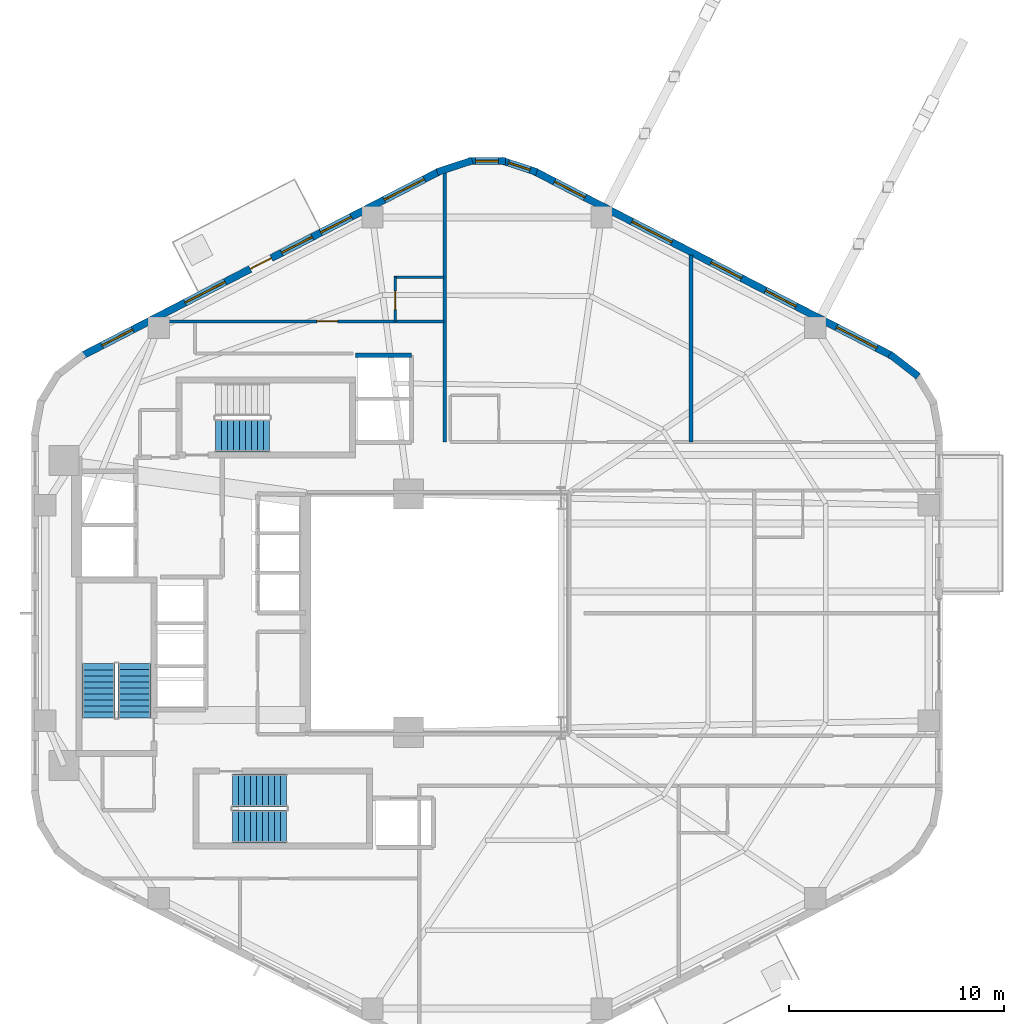
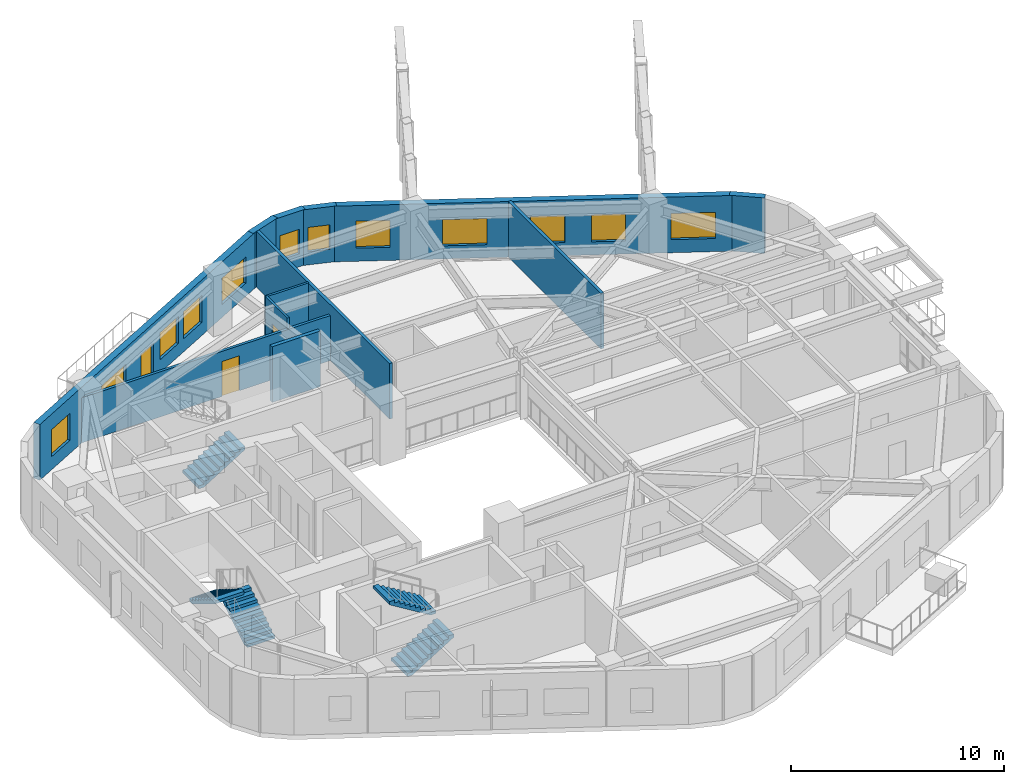
# One storey, part 7 of 10: 12 walls, 12 windows, 5 stair flights, 3 doors, 15 openings, 3 elements without a shape of their own.
"""IFC4 building model written with IfcOpenShell, lengths in metres."""

import ifcopenshell
import ifcopenshell.guid

model = None  # the IFC model being written
_history = None  # IfcOwnerHistory: only IFC2X3 demands one
_inside = {}  # id of a spatial element -> (the spatial element, [elements in it])
_under = {}  # id of a project, library or spatial element -> (it, [spatial elements below it])
_declared = {}  # id of a project -> (the project, [libraries it declares])
_typed = {}  # id of a type object -> (the type object, [elements of that type])
_made_of = {}  # id of a material, layer set ... -> (it, [elements and type objects made of it])


def new_model(schema):
    """Start an empty IFC model of exactly this schema.

    Asked for "IFC4X3", IfcOpenShell would pick the latest addendum, in which some entities
    have other attributes; the version numbers below select the first issue.
    IFC2X3 requires an IfcOwnerHistory on every rooted entity: one is made here for all.
    """
    global model, _history
    if schema == "IFC4X3":
        model = ifcopenshell.file(schema_version=(4, 3, 0, 0))
    else:
        model = ifcopenshell.file(schema=schema)
    _inside.clear()
    _under.clear()
    _declared.clear()
    _typed.clear()
    _made_of.clear()
    _history = None
    if model.schema == "IFC2X3":
        org = make("IfcOrganization", Name="unknown")
        user = make(
            "IfcPersonAndOrganization",
            ThePerson=make("IfcPerson", FamilyName="unknown"),
            TheOrganization=org,
        )
        app = make(
            "IfcApplication",
            ApplicationDeveloper=org,
            Version="unknown",
            ApplicationFullName="unknown",
            ApplicationIdentifier="unknown",
        )
        _history = make(
            "IfcOwnerHistory",
            OwningUser=user,
            OwningApplication=app,
            ChangeAction="ADDED",
            CreationDate=0,
        )
    return model


def make(cls, **values):
    """One entity of the class cls with the attributes given. An attribute that is None is left unset."""
    return model.create_entity(
        cls, **{name: value for name, value in values.items() if value is not None}
    )


def rooted(cls, **values):
    """An entity with a GlobalId (a new one), such as an element, a storey or a relation."""
    return make(cls, GlobalId=ifcopenshell.guid.new(), OwnerHistory=_history, **values)


def si_unit(unit_type, name, prefix=None):
    """IfcSIUnit, for example si_unit("LENGTHUNIT", "METRE", prefix="MILLI")."""
    return make("IfcSIUnit", UnitType=unit_type, Prefix=prefix, Name=name)


def assignment(units):
    """IfcUnitAssignment: the units of a project."""
    return None if units is None else make("IfcUnitAssignment", Units=units)


def point(xyz):
    """IfcCartesianPoint."""
    return None if xyz is None else make("IfcCartesianPoint", Coordinates=xyz)


def direction(xyz):
    """IfcDirection."""
    return None if xyz is None else make("IfcDirection", DirectionRatios=xyz)


def frame(location, z_axis=None, x_axis=None):
    """IfcAxis2Placement3D, a coordinate frame: its origin and axes. An axis left out is left unset."""
    return make(
        "IfcAxis2Placement3D",
        Location=point(location),
        Axis=direction(z_axis),
        RefDirection=direction(x_axis),
    )


def frame_2d(location, x_axis=None):
    """IfcAxis2Placement2D, a coordinate frame in the plane: its origin and x axis."""
    return make(
        "IfcAxis2Placement2D", Location=point(location), RefDirection=direction(x_axis)
    )


def origin():
    """The frame at (0, 0, 0) with its axes left unset."""
    return frame((0.0, 0.0, 0.0))


def place(relative_to, where):
    """IfcLocalPlacement: puts the frame where relative to a parent placement (None: the world)."""
    return make(
        "IfcLocalPlacement", PlacementRelTo=relative_to, RelativePlacement=where
    )


def context(
    kind, dimensions, precision=None, world=None, true_north=None, identifier=None
):
    """IfcGeometricRepresentationContext, for example the 3D "Model" context."""
    return make(
        "IfcGeometricRepresentationContext",
        ContextIdentifier=identifier,
        ContextType=kind,
        CoordinateSpaceDimension=dimensions,
        Precision=precision,
        WorldCoordinateSystem=world,
        TrueNorth=true_north,
    )


def subcontext(parent, identifier, kind, view, scale=None):
    """IfcGeometricRepresentationSubContext, for example "Body" below "Model"."""
    return make(
        "IfcGeometricRepresentationSubContext",
        ContextIdentifier=identifier,
        ContextType=kind,
        ParentContext=parent,
        TargetScale=scale,
        TargetView=view,
    )


def project(units=None, contexts=None):
    """IfcProject with its units and contexts."""
    return rooted(
        "IfcProject",
        Name="project",
        RepresentationContexts=contexts,
        UnitsInContext=assignment(units),
    )


def spatial(cls, under=None, at=None, **own):
    """A site, building, storey or space (cls), placed at a placement, below another one or the project."""
    s = rooted(cls, ObjectPlacement=at, **own)
    if under is not None:
        _under.setdefault(under.id(), (under, []))[1].append(s)
    return s


def polyline(points):
    """IfcPolyline through the points."""
    return make("IfcPolyline", Points=[point(p) for p in points])


def profile(cls, at=None, kind="AREA", **sizes):
    """A parametric profile (cls). Its sizes go by their IFC names, for example OverallWidth=200.0."""
    return make(cls, ProfileType=kind, Position=at, **sizes)


def rectangle(**sizes):
    """IfcRectangleProfileDef."""
    return profile("IfcRectangleProfileDef", **sizes)


def outline(outer, holes=None, kind="AREA"):
    """IfcArbitraryClosedProfileDef: a profile drawn as a closed curve; with holes, ...WithVoids."""
    if holes is None:
        return make("IfcArbitraryClosedProfileDef", ProfileType=kind, OuterCurve=outer)
    return make(
        "IfcArbitraryProfileDefWithVoids",
        ProfileType=kind,
        OuterCurve=outer,
        InnerCurves=holes,
    )


def extrude(swept, where, along, depth):
    """IfcExtrudedAreaSolid: the profile swept, set in the frame where, extruded along a direction by depth."""
    return make(
        "IfcExtrudedAreaSolid",
        SweptArea=swept,
        Position=where,
        ExtrudedDirection=direction(along),
        Depth=depth,
    )


def shape(context_of_items, identifier, shape_type, items):
    """IfcShapeRepresentation: the items that make up one representation, for example the "Body"."""
    return make(
        "IfcShapeRepresentation",
        ContextOfItems=context_of_items,
        RepresentationIdentifier=identifier,
        RepresentationType=shape_type,
        Items=items,
    )


def material(Name=None, Category=None):
    """IfcMaterial."""
    return make("IfcMaterial", Name=Name, Category=Category)


def layer(
    of_material, thickness, ventilated=None, Name=None, Category=None, Priority=None
):
    """IfcMaterialLayer: one layer of a wall or slab, of a material (None: an air gap)."""
    return make(
        "IfcMaterialLayer",
        Material=of_material,
        LayerThickness=thickness,
        IsVentilated=ventilated,
        Name=Name,
        Category=Category,
        Priority=Priority,
    )


def layer_set(layers, Name=None):
    """IfcMaterialLayerSet."""
    return make("IfcMaterialLayerSet", MaterialLayers=layers, LayerSetName=Name)


def made_of(thing, what):
    """Note that an element or type object is made of a material, layer set ...; save() writes the relation."""
    if what is not None:
        _made_of.setdefault(what.id(), (what, []))[1].append(thing)
    return thing


def type_object(cls, material=None, **own):
    """A type object (cls), such as IfcWallType, which elements share."""
    return made_of(rooted(cls, **own), material)


def element(
    cls,
    number,
    at=None,
    inside=None,
    cuts=None,
    type_object=None,
    material=None,
    context=None,
    identifier="Body",
    shape_type=None,
    held_by="IfcProductDefinitionShape",
    body=None,
    shapes=None,
    **own,
):
    """One element of the class cls, such as IfcWall. Its Tag is "e" and its number.

    at: its placement. inside: the storey or other place that contains it. cuts: it is an
    opening in that element (IfcRelVoidsElement). A single representation is given by context,
    identifier, shape_type and body (its items); several are given by shapes. held_by: the class
    of the entity that holds the representations. save() writes the other relations.
    """
    e = rooted(cls, Tag="e%d" % number, ObjectPlacement=at, **own)
    if body is not None:
        shapes = [shape(context, identifier, shape_type, body)]
    if shapes is not None:
        e.Representation = make(held_by, Representations=shapes)
    if inside is not None:
        _inside.setdefault(inside.id(), (inside, []))[1].append(e)
    if cuts is not None:
        rooted(
            "IfcRelVoidsElement", RelatingBuildingElement=cuts, RelatedOpeningElement=e
        )
    if type_object is not None:
        _typed.setdefault(type_object.id(), (type_object, []))[1].append(e)
    return made_of(e, material)


def fill(opening, filler):
    """IfcRelFillsElement: the door or window that sits in an opening."""
    return rooted(
        "IfcRelFillsElement",
        RelatingOpeningElement=opening,
        RelatedBuildingElement=filler,
    )


def aggregate(whole, parts):
    """IfcRelAggregates: a whole, such as a stair, and the parts it consists of."""
    return rooted("IfcRelAggregates", RelatingObject=whole, RelatedObjects=parts)


def save(model, path):
    """Write the relations noted so far, then the file.

    IfcRelAggregates (storeys below a building ...), IfcRelContainedInSpatialStructure (elements
    in a storey), IfcRelDefinesByType, IfcRelAssociatesMaterial and IfcRelDeclares: one each for
    every whole, place, type object, material and project.
    """
    for whole, parts in _under.values():
        aggregate(whole, parts)
    for where, things in _inside.values():
        rooted(
            "IfcRelContainedInSpatialStructure",
            RelatedElements=things,
            RelatingStructure=where,
        )
    for kind, things in _typed.values():
        rooted("IfcRelDefinesByType", RelatedObjects=things, RelatingType=kind)
    for what, things in _made_of.values():
        rooted("IfcRelAssociatesMaterial", RelatedObjects=things, RelatingMaterial=what)
    for by, libraries in _declared.values():
        rooted("IfcRelDeclares", RelatingContext=by, RelatedDefinitions=libraries)
    model.write(path)


model = new_model("IFC4")

# Units and contexts
model_context = context("Model", 3, precision=1e-05, world=origin(), true_north=direction((0.0, 1.0)))
body_context = subcontext(model_context, "Body", "Model", "MODEL_VIEW")
ifc_project = project(units=[si_unit("LENGTHUNIT", "METRE"), si_unit("AREAUNIT", "SQUARE_METRE"), si_unit("VOLUMEUNIT", "CUBIC_METRE"), si_unit("PLANEANGLEUNIT", "RADIAN"), si_unit("MASSUNIT", "GRAM", prefix="KILO"), si_unit("THERMODYNAMICTEMPERATUREUNIT", "KELVIN"), si_unit("POWERUNIT", "WATT")], contexts=[model_context])

# Site, building, storey
site_placement = place(None, origin())
site = spatial("IfcSite", under=ifc_project, at=site_placement, CompositionType="ELEMENT")
building_placement = place(site_placement, origin())
building = spatial("IfcBuilding", under=site, at=building_placement, Name="Skarre Station Tower", CompositionType="ELEMENT")
storey_placement = place(building_placement, frame((0.0, 0.0, 105.0)))
storey = spatial("IfcBuildingStorey", under=building, at=storey_placement, Name="L27", CompositionType="ELEMENT", Elevation=105.0)

# Wall, opening, door
ifc_material_1 = material(Name="Acoustic Steel-Stud Gypsum Partition", Category="steel")
ifc_layer_1 = layer(ifc_material_1, 0.14990234375, Name="Acoustic Steel-Stud Gypsum Partition")
ifc_layer_set_1 = layer_set([ifc_layer_1], Name="Acoustic Steel-Stud Gypsum Partition")
wall_type_1 = type_object("IfcWallType", Name="Fire-Rated Corridor Acoustic Partition 150", PredefinedType="PARTITIONING", material=ifc_layer_set_1)
wall_1_placement = place(storey_placement, frame((34.0, 37.580078125, 0.0), z_axis=(0.0, 0.0, 1.0), x_axis=(-1.0, 0.0, 0.0)))
wall_1 = element("IfcWall", 1, at=wall_1_placement, inside=storey, type_object=wall_type_1, Name="L27 Interior Partition WL-PT-L27-NWW1-CW", PredefinedType="PARTITIONING", context=body_context, shape_type="SweptSolid", body=[
    extrude(rectangle(XDim=13.70703125, YDim=0.14990234375, at=frame_2d((6.853515625, 0.0))), origin(), (0.0, 0.0, 1.0), 2.58203125),
])
opening_1_placement = place(wall_1_placement, frame((4.9599609375, 0.0, 0.0)))
opening_1 = element("IfcOpeningElement", 2, at=opening_1_placement, cuts=wall_1, Name="Opening DR-FD60", PredefinedType="OPENING", context=body_context, shape_type="SweptSolid", body=[
    extrude(rectangle(XDim=0.9599609375, YDim=2.0, at=frame_2d((0.47998046875, 1.0))), frame((0.0, 0.0849609375, 0.0), z_axis=(0.0, -1.0, 0.0), x_axis=(1.0, 0.0, 0.0)), (0.0, 0.0, 1.0), 0.169921875),
])
ifc_material_2 = material(Name="Nordic White-Oak Veneer Solid-Core Fire Leaf", Category="wood")
door_type_1 = type_object("IfcDoorType", Name="Corridor Suite Entry Fire Door FD60 960x2150", OperationType="SINGLE_SWING_LEFT", PredefinedType="DOOR", material=ifc_material_2)
door_1_placement = place(opening_1_placement, origin())
door_1 = element("IfcDoor", 3, at=door_1_placement, inside=storey, type_object=door_type_1, Name="L27 NWW1 Entry Door", OperationType="SINGLE_SWING_LEFT", OverallHeight=2.0, OverallWidth=0.9599609375, PredefinedType="DOOR", context=body_context, shape_type="SweptSolid", body=[
    extrude(rectangle(XDim=0.9599609375, YDim=2.0, at=frame_2d((0.47998046875, 1.0))), frame((0.0, 0.02490234375, 0.0), z_axis=(0.0, -1.0, 0.0), x_axis=(1.0, 0.0, 0.0)), (0.0, 0.0, 1.0), 0.050048828125),
])
fill(opening_1, door_1)

# Wall
ifc_material_3 = material(Name="Insulated Timber-Stud Gypsum Partition", Category="wood")
ifc_layer_2 = layer(ifc_material_3, 0.1201171875, Name="Insulated Timber-Stud Gypsum Partition")
ifc_layer_set_2 = layer_set([ifc_layer_2], Name="Insulated Timber-Stud Gypsum Partition")
wall_type_2 = type_object("IfcWallType", Name="Internal Suite Acoustic Partition 120", PredefinedType="PARTITIONING", material=ifc_layer_set_2)
wall_2_placement = place(storey_placement, frame((34.0, 39.639892578125, 0.0), z_axis=(0.0, 0.0, 1.0), x_axis=(-1.0, 0.0, 0.0)))
element("IfcWall", 4, at=wall_2_placement, inside=storey, type_object=wall_type_2, Name="L27 Interior Partition WL-PT-L27-NWW1-EW3", PredefinedType="PARTITIONING", context=body_context, shape_type="SweptSolid", body=[
    extrude(rectangle(XDim=2.340087890625, YDim=0.1201171875, at=frame_2d((1.169921875, 0.0))), origin(), (0.0, 0.0, 1.0), 3.18994140625),
])

# Wall, opening, door
wall_3_placement = place(storey_placement, frame((31.719970703125, 39.639892578125, 0.0), z_axis=(0.0, 0.0, 1.0), x_axis=(0.0, -1.0, 0.0)))
wall_3 = element("IfcWall", 5, at=wall_3_placement, inside=storey, type_object=wall_type_2, Name="L27 Interior Partition WL-PT-L27-NWW1-EW4", PredefinedType="PARTITIONING", context=body_context, shape_type="SweptSolid", body=[
    extrude(rectangle(XDim=2.059814453125, YDim=0.1201171875, at=frame_2d((1.02978515625, 0.0))), origin(), (0.0, 0.0, 1.0), 3.18994140625),
])
opening_2_placement = place(wall_3_placement, frame((0.64990234375, 0.0, 0.0)))
opening_2 = element("IfcOpeningElement", 6, at=opening_2_placement, cuts=wall_3, Name="Opening DR-INT86", PredefinedType="OPENING", context=body_context, shape_type="SweptSolid", body=[
    extrude(rectangle(XDim=0.860107421875, YDim=2.0, at=frame_2d((0.43017578125, 1.0))), frame((0.0, 0.070068359375, 0.0), z_axis=(0.0, -1.0, 0.0), x_axis=(1.0, 0.0, 0.0)), (0.0, 0.0, 1.0), 0.14013671875),
])
ifc_material_4 = material(Name="Nordic Birch Acoustic Solid-Core Timber Leaf", Category="wood")
door_type_2 = type_object("IfcDoorType", Name="Internal En-Suite & Bedroom Door 860x2100", OperationType="SINGLE_SWING_LEFT", PredefinedType="DOOR", material=ifc_material_4)
door_2_placement = place(opening_2_placement, origin())
door_2 = element("IfcDoor", 7, at=door_2_placement, inside=storey, type_object=door_type_2, Name="L27 NWW1 En-suite Door", OperationType="SINGLE_SWING_RIGHT", OverallHeight=2.0, OverallWidth=0.860107421875, PredefinedType="DOOR", context=body_context, shape_type="SweptSolid", body=[
    extrude(rectangle(XDim=0.860107421875, YDim=2.0, at=frame_2d((0.43017578125, 1.0))), frame((0.0, 0.02490234375, 0.0), z_axis=(0.0, -1.0, 0.0), x_axis=(1.0, 0.0, 0.0)), (0.0, 0.0, 1.0), 0.050048828125),
])
fill(opening_2, door_2)

# Wall, openings, windows
ifc_material_5 = material(Name="Precast concrete C45/55", Category="concrete")
ifc_layer_3 = layer(ifc_material_5, 0.340087890625, Name="Precast concrete C45/55")
ifc_layer_set_3 = layer_set([ifc_layer_3], Name="Precast concrete C45/55")
wall_type_3 = type_object("IfcWallType", Name="Nordic Honed Precast Facet Wall 340", PredefinedType="STANDARD", material=ifc_layer_set_3)
wall_4_placement = place(storey_placement, frame((38.23095703125, 44.55810546875, 0.0), z_axis=(0.0, 0.0, 1.0), x_axis=(0.888613612362, -0.458656568606, 0.0)))
wall_4 = element("IfcWall", 8, at=wall_4_placement, inside=storey, type_object=wall_type_3, Name="L27 Facet 0 Nordic Precast Masonry Wall", PredefinedType="STANDARD", context=body_context, shape_type="SweptSolid", body=[
    extrude(rectangle(XDim=18.680908203125, YDim=0.340087890625, at=frame_2d((9.34033203125, 0.0))), origin(), (0.0, 0.0, 1.0), 3.18994140625),
])
opening_3_placement = place(wall_4_placement, frame((1.02294921875, 0.0, 0.75)))
opening_3 = element("IfcOpeningElement", 9, at=opening_3_placement, cuts=wall_4, Name="Opening WN-Z2A", PredefinedType="OPENING", context=body_context, shape_type="SweptSolid", body=[
    extrude(rectangle(XDim=1.60009765625, YDim=1.550048828125, at=frame_2d((0.800048828125, 0.77490234375))), frame((0.0, 0.179931640625, 0.0), z_axis=(0.0, -1.0, 0.0), x_axis=(1.0, 0.0, 0.0)), (0.0, 0.0, 1.0), 0.360107421875),
])
opening_4_placement = place(wall_4_placement, frame((5.076904296875, 0.0, 0.75)))
opening_4 = element("IfcOpeningElement", 10, at=opening_4_placement, cuts=wall_4, Name="Opening WN-Z2B", PredefinedType="OPENING", context=body_context, shape_type="SweptSolid", body=[
    extrude(rectangle(XDim=2.10009765625, YDim=1.5, at=frame_2d((1.050048828125, 0.75))), frame((0.0, 0.179931640625, 0.0), z_axis=(0.0, -1.0, 0.0), x_axis=(1.0, 0.0, 0.0)), (0.0, 0.0, 1.0), 0.360107421875),
])
opening_5_placement = place(wall_4_placement, frame((9.22900390625, 0.0, 0.75)))
opening_5 = element("IfcOpeningElement", 11, at=opening_5_placement, cuts=wall_4, Name="Opening WN-Z2A", PredefinedType="OPENING", context=body_context, shape_type="SweptSolid", body=[
    extrude(rectangle(XDim=1.60009765625, YDim=1.550048828125, at=frame_2d((0.800048828125, 0.77490234375))), frame((0.0, 0.179931640625, 0.0), z_axis=(0.0, -1.0, 0.0), x_axis=(1.0, 0.0, 0.0)), (0.0, 0.0, 1.0), 0.360107421875),
])
opening_6_placement = place(wall_4_placement, frame((12.0791015625, 0.0, 0.75)))
opening_6 = element("IfcOpeningElement", 12, at=opening_6_placement, cuts=wall_4, Name="Opening WN-Z2A", PredefinedType="OPENING", context=body_context, shape_type="SweptSolid", body=[
    extrude(rectangle(XDim=1.60009765625, YDim=1.550048828125, at=frame_2d((0.800048828125, 0.77490234375))), frame((0.0, 0.179931640625, 0.0), z_axis=(0.0, -1.0, 0.0), x_axis=(1.0, 0.0, 0.0)), (0.0, 0.0, 1.0), 0.360107421875),
])
opening_7_placement = place(wall_4_placement, frame((15.80810546875, 0.0, 0.75)))
opening_7 = element("IfcOpeningElement", 13, at=opening_7_placement, cuts=wall_4, Name="Opening WN-Z2B", PredefinedType="OPENING", context=body_context, shape_type="SweptSolid", body=[
    extrude(rectangle(XDim=2.10009765625, YDim=1.5, at=frame_2d((1.050048828125, 0.75))), frame((0.0, 0.179931640625, 0.0), z_axis=(0.0, -1.0, 0.0), x_axis=(1.0, 0.0, 0.0)), (0.0, 0.0, 1.0), 0.360107421875),
])
ifc_material_6 = material(Name="Low-Iron Triple Glazing with Bronze Anodized Frame", Category="glass")
window_type_1 = type_object("IfcWindowType", Name="Nordic Residential Tall Window 1600x1550", PartitioningType="SINGLE_PANEL", PredefinedType="WINDOW", material=ifc_material_6)
window_1_placement = place(opening_3_placement, origin())
window_1 = element("IfcWindow", 14, at=window_1_placement, inside=storey, type_object=window_type_1, Name="L27 Facade Window WL-FAC-L27-F0-1", OverallHeight=1.550048828125, OverallWidth=1.60009765625, PartitioningType="SINGLE_PANEL", PredefinedType="WINDOW", context=body_context, shape_type="SweptSolid", body=[
    extrude(rectangle(XDim=1.60009765625, YDim=1.550048828125, at=frame_2d((0.800048828125, 0.77490234375))), frame((0.0, 0.030029296875, 0.0), z_axis=(0.0, -1.0, 0.0), x_axis=(1.0, 0.0, 0.0)), (0.0, 0.0, 1.0), 0.06005859375),
])
fill(opening_3, window_1)
window_2_placement = place(opening_5_placement, origin())
window_2 = element("IfcWindow", 15, at=window_2_placement, inside=storey, type_object=window_type_1, Name="L27 Facade Window WL-FAC-L27-F0-3", OverallHeight=1.550048828125, OverallWidth=1.60009765625, PartitioningType="SINGLE_PANEL", PredefinedType="WINDOW", context=body_context, shape_type="SweptSolid", body=[
    extrude(rectangle(XDim=1.60009765625, YDim=1.550048828125, at=frame_2d((0.800048828125, 0.77490234375))), frame((0.0, 0.030029296875, 0.0), z_axis=(0.0, -1.0, 0.0), x_axis=(1.0, 0.0, 0.0)), (0.0, 0.0, 1.0), 0.06005859375),
])
fill(opening_5, window_2)
window_3_placement = place(opening_6_placement, origin())
window_3 = element("IfcWindow", 16, at=window_3_placement, inside=storey, type_object=window_type_1, Name="L27 Facade Window WL-FAC-L27-F0-4", OverallHeight=1.550048828125, OverallWidth=1.60009765625, PartitioningType="SINGLE_PANEL", PredefinedType="WINDOW", context=body_context, shape_type="SweptSolid", body=[
    extrude(rectangle(XDim=1.60009765625, YDim=1.550048828125, at=frame_2d((0.800048828125, 0.77490234375))), frame((0.0, 0.030029296875, 0.0), z_axis=(0.0, -1.0, 0.0), x_axis=(1.0, 0.0, 0.0)), (0.0, 0.0, 1.0), 0.06005859375),
])
fill(opening_6, window_3)
window_type_2 = type_object("IfcWindowType", Name="Nordic Residential Twin Window 2100x1500", PartitioningType="SINGLE_PANEL", PredefinedType="WINDOW", material=ifc_material_6)
window_4_placement = place(opening_4_placement, origin())
window_4 = element("IfcWindow", 17, at=window_4_placement, inside=storey, type_object=window_type_2, Name="L27 Facade Window WL-FAC-L27-F0-2", OverallHeight=1.5, OverallWidth=2.10009765625, PartitioningType="SINGLE_PANEL", PredefinedType="WINDOW", context=body_context, shape_type="SweptSolid", body=[
    extrude(rectangle(XDim=2.10009765625, YDim=1.5, at=frame_2d((1.050048828125, 0.75))), frame((0.0, 0.030029296875, 0.0), z_axis=(0.0, -1.0, 0.0), x_axis=(1.0, 0.0, 0.0)), (0.0, 0.0, 1.0), 0.06005859375),
])
fill(opening_4, window_4)
window_5_placement = place(opening_7_placement, origin())
window_5 = element("IfcWindow", 18, at=window_5_placement, inside=storey, type_object=window_type_2, Name="L27 Facade Window WL-FAC-L27-F0-5", OverallHeight=1.5, OverallWidth=2.10009765625, PartitioningType="SINGLE_PANEL", PredefinedType="WINDOW", context=body_context, shape_type="SweptSolid", body=[
    extrude(rectangle(XDim=2.10009765625, YDim=1.5, at=frame_2d((1.050048828125, 0.75))), frame((0.0, 0.030029296875, 0.0), z_axis=(0.0, -1.0, 0.0), x_axis=(1.0, 0.0, 0.0)), (0.0, 0.0, 1.0), 0.06005859375),
])
fill(opening_7, window_5)

# Wall, openings, windows, door
wall_5_placement = place(storey_placement, frame((17.1689453125, 35.989990234375, 0.0), z_axis=(0.0, 0.0, 1.0), x_axis=(0.888613612362, 0.458656568606, 0.0)))
wall_5 = element("IfcWall", 19, at=wall_5_placement, inside=storey, type_object=wall_type_3, Name="L27 Facet 1 Nordic Precast Masonry Wall", PredefinedType="STANDARD", context=body_context, shape_type="SweptSolid", body=[
    extrude(rectangle(XDim=18.680908203125, YDim=0.340087890625, at=frame_2d((9.34033203125, 0.0))), origin(), (0.0, 0.0, 1.0), 3.18994140625),
])
opening_8_placement = place(wall_5_placement, frame((8.7900390625, 0.0, 0.0)))
opening_8 = element("IfcOpeningElement", 20, at=opening_8_placement, cuts=wall_5, Name="Opening DR-BAL110", PredefinedType="OPENING", context=body_context, shape_type="SweptSolid", body=[
    extrude(rectangle(XDim=1.10009765625, YDim=2.0400390625, at=frame_2d((0.550048828125, 1.02001953125))), frame((0.0, 0.179931640625, 0.0), z_axis=(0.0, -1.0, 0.0), x_axis=(1.0, 0.0, 0.0)), (0.0, 0.0, 1.0), 0.360107421875),
])
opening_9_placement = place(wall_5_placement, frame((1.02294921875, 0.0, 0.75)))
opening_9 = element("IfcOpeningElement", 21, at=opening_9_placement, cuts=wall_5, Name="Opening WN-Z2A", PredefinedType="OPENING", context=body_context, shape_type="SweptSolid", body=[
    extrude(rectangle(XDim=1.60009765625, YDim=1.550048828125, at=frame_2d((0.800048828125, 0.77490234375))), frame((0.0, 0.179931640625, 0.0), z_axis=(0.0, -1.0, 0.0), x_axis=(1.0, 0.0, 0.0)), (0.0, 0.0, 1.0), 0.360107421875),
])
opening_10_placement = place(wall_5_placement, frame((5.373046875, 0.0, 0.75)))
opening_10 = element("IfcOpeningElement", 22, at=opening_10_placement, cuts=wall_5, Name="Opening WN-Z2B", PredefinedType="OPENING", context=body_context, shape_type="SweptSolid", body=[
    extrude(rectangle(XDim=2.10009765625, YDim=1.5, at=frame_2d((1.050048828125, 0.75))), frame((0.0, 0.179931640625, 0.0), z_axis=(0.0, -1.0, 0.0), x_axis=(1.0, 0.0, 0.0)), (0.0, 0.0, 1.0), 0.360107421875),
])
opening_11_placement = place(wall_5_placement, frame((10.43408203125, 0.0, 0.75)))
opening_11 = element("IfcOpeningElement", 23, at=opening_11_placement, cuts=wall_5, Name="Opening WN-Z2A", PredefinedType="OPENING", context=body_context, shape_type="SweptSolid", body=[
    extrude(rectangle(XDim=1.60009765625, YDim=1.550048828125, at=frame_2d((0.800048828125, 0.77490234375))), frame((0.0, 0.179931640625, 0.0), z_axis=(0.0, -1.0, 0.0), x_axis=(1.0, 0.0, 0.0)), (0.0, 0.0, 1.0), 0.360107421875),
])
opening_12_placement = place(wall_5_placement, frame((12.48095703125, 0.0, 0.75)))
opening_12 = element("IfcOpeningElement", 24, at=opening_12_placement, cuts=wall_5, Name="Opening WN-Z2A", PredefinedType="OPENING", context=body_context, shape_type="SweptSolid", body=[
    extrude(rectangle(XDim=1.60009765625, YDim=1.550048828125, at=frame_2d((0.800048828125, 0.77490234375))), frame((0.0, 0.179931640625, 0.0), z_axis=(0.0, -1.0, 0.0), x_axis=(1.0, 0.0, 0.0)), (0.0, 0.0, 1.0), 0.360107421875),
])
opening_13_placement = place(wall_5_placement, frame((15.80810546875, 0.0, 0.75)))
opening_13 = element("IfcOpeningElement", 25, at=opening_13_placement, cuts=wall_5, Name="Opening WN-Z2B", PredefinedType="OPENING", context=body_context, shape_type="SweptSolid", body=[
    extrude(rectangle(XDim=2.10009765625, YDim=1.5, at=frame_2d((1.050048828125, 0.75))), frame((0.0, 0.179931640625, 0.0), z_axis=(0.0, -1.0, 0.0), x_axis=(1.0, 0.0, 0.0)), (0.0, 0.0, 1.0), 0.360107421875),
])
window_6_placement = place(opening_9_placement, origin())
window_6 = element("IfcWindow", 26, at=window_6_placement, inside=storey, type_object=window_type_1, Name="L27 Facade Window WL-FAC-L27-F1-1", OverallHeight=1.550048828125, OverallWidth=1.60009765625, PartitioningType="SINGLE_PANEL", PredefinedType="WINDOW", context=body_context, shape_type="SweptSolid", body=[
    extrude(rectangle(XDim=1.60009765625, YDim=1.550048828125, at=frame_2d((0.800048828125, 0.77490234375))), frame((0.0, 0.030029296875, 0.0), z_axis=(0.0, -1.0, 0.0), x_axis=(1.0, 0.0, 0.0)), (0.0, 0.0, 1.0), 0.06005859375),
])
fill(opening_9, window_6)
window_7_placement = place(opening_11_placement, origin())
window_7 = element("IfcWindow", 27, at=window_7_placement, inside=storey, type_object=window_type_1, Name="L27 Facade Window WL-FAC-L27-F1-3", OverallHeight=1.550048828125, OverallWidth=1.60009765625, PartitioningType="SINGLE_PANEL", PredefinedType="WINDOW", context=body_context, shape_type="SweptSolid", body=[
    extrude(rectangle(XDim=1.60009765625, YDim=1.550048828125, at=frame_2d((0.800048828125, 0.77490234375))), frame((0.0, 0.030029296875, 0.0), z_axis=(0.0, -1.0, 0.0), x_axis=(1.0, 0.0, 0.0)), (0.0, 0.0, 1.0), 0.06005859375),
])
fill(opening_11, window_7)
window_8_placement = place(opening_12_placement, origin())
window_8 = element("IfcWindow", 28, at=window_8_placement, inside=storey, type_object=window_type_1, Name="L27 Facade Window WL-FAC-L27-F1-4", OverallHeight=1.550048828125, OverallWidth=1.60009765625, PartitioningType="SINGLE_PANEL", PredefinedType="WINDOW", context=body_context, shape_type="SweptSolid", body=[
    extrude(rectangle(XDim=1.60009765625, YDim=1.550048828125, at=frame_2d((0.800048828125, 0.77490234375))), frame((0.0, 0.030029296875, 0.0), z_axis=(0.0, -1.0, 0.0), x_axis=(1.0, 0.0, 0.0)), (0.0, 0.0, 1.0), 0.06005859375),
])
fill(opening_12, window_8)
window_9_placement = place(opening_10_placement, origin())
window_9 = element("IfcWindow", 29, at=window_9_placement, inside=storey, type_object=window_type_2, Name="L27 Facade Window WL-FAC-L27-F1-2", OverallHeight=1.5, OverallWidth=2.10009765625, PartitioningType="SINGLE_PANEL", PredefinedType="WINDOW", context=body_context, shape_type="SweptSolid", body=[
    extrude(rectangle(XDim=2.10009765625, YDim=1.5, at=frame_2d((1.050048828125, 0.75))), frame((0.0, 0.030029296875, 0.0), z_axis=(0.0, -1.0, 0.0), x_axis=(1.0, 0.0, 0.0)), (0.0, 0.0, 1.0), 0.06005859375),
])
fill(opening_10, window_9)
window_10_placement = place(opening_13_placement, origin())
window_10 = element("IfcWindow", 30, at=window_10_placement, inside=storey, type_object=window_type_2, Name="L27 Facade Window WL-FAC-L27-F1-5", OverallHeight=1.5, OverallWidth=2.10009765625, PartitioningType="SINGLE_PANEL", PredefinedType="WINDOW", context=body_context, shape_type="SweptSolid", body=[
    extrude(rectangle(XDim=2.10009765625, YDim=1.5, at=frame_2d((1.050048828125, 0.75))), frame((0.0, 0.030029296875, 0.0), z_axis=(0.0, -1.0, 0.0), x_axis=(1.0, 0.0, 0.0)), (0.0, 0.0, 1.0), 0.06005859375),
])
fill(opening_13, window_10)
ifc_material_7 = material(Name="Thermally Broken Aluminium & Triple Glazing", Category="aluminium")
door_type_3 = type_object("IfcDoorType", Name="Terrace & Tree-Balcony Glazed Door 1100x2200", OperationType="SINGLE_SWING_LEFT", PredefinedType="DOOR", material=ifc_material_7)
door_3_placement = place(opening_8_placement, origin())
door_3 = element("IfcDoor", 31, at=door_3_placement, inside=storey, type_object=door_type_3, Name="L27 TB-L27-F1 Tree-Balcony Glazed Door", OperationType="SINGLE_SWING_LEFT", OverallHeight=2.0400390625, OverallWidth=1.10009765625, PredefinedType="DOOR", context=body_context, shape_type="SweptSolid", body=[
    extrude(rectangle(XDim=1.10009765625, YDim=2.0400390625, at=frame_2d((0.550048828125, 1.02001953125))), frame((0.0, 0.02490234375, 0.0), z_axis=(0.0, -1.0, 0.0), x_axis=(1.0, 0.0, 0.0)), (0.0, 0.0, 1.0), 0.050048828125),
])
fill(opening_8, door_3)

# Walls
ifc_layer_4 = layer(ifc_material_5, 0.330078125, Name="Precast concrete C45/55")
ifc_layer_set_4 = layer_set([ifc_layer_4], Name="Precast concrete C45/55")
wall_type_4 = type_object("IfcWallType", Name="Nordic Rounded Corner Precast Wall 330", PredefinedType="STANDARD", material=ifc_layer_set_4)
wall_6_placement = place(storey_placement, frame((54.757080078125, 36.050048828125, 0.0), z_axis=(0.0, 0.0, 1.0), x_axis=(0.790621329885, -0.612305408053, 0.0)))
element("IfcWall", 32, at=wall_6_placement, inside=storey, type_object=wall_type_4, Name="L27 Rounded Corner Precast Wall F0-1", PredefinedType="STANDARD", context=body_context, shape_type="SweptSolid", body=[
    extrude(rectangle(XDim=1.67578125, YDim=0.330078125, at=frame_2d((0.837890625, 0.0))), origin(), (0.0, 0.0, 1.0), 3.18994140625),
])
wall_7_placement = place(storey_placement, frame((33.680908203125, 44.531982421875, 0.0), z_axis=(0.0, 0.0, 1.0), x_axis=(0.949937416267, 0.312440242569, 0.0)))
element("IfcWall", 33, at=wall_7_placement, inside=storey, type_object=wall_type_4, Name="L27 Rounded Corner Precast Wall F1-1", PredefinedType="STANDARD", context=body_context, shape_type="SweptSolid", body=[
    extrude(rectangle(XDim=1.72216796875, YDim=0.330078125, at=frame_2d((0.861083984375, 0.0))), origin(), (0.0, 0.0, 1.0), 3.18994140625),
])

# Wall, opening, window
wall_8_placement = place(storey_placement, frame((35.138916015625, 45.041015625, 0.0), z_axis=(0.0, 0.0, 1.0), x_axis=(1.0, 0.0, 0.0)))
wall_8 = element("IfcWall", 34, at=wall_8_placement, inside=storey, type_object=wall_type_4, Name="L27 Rounded Corner Precast Wall F1-2", PredefinedType="STANDARD", context=body_context, shape_type="SweptSolid", body=[
    extrude(rectangle(XDim=1.72216796875, YDim=0.330078125, at=frame_2d((0.861083984375, 0.0))), origin(), (0.0, 0.0, 1.0), 3.18994140625),
])
opening_14_placement = place(wall_8_placement, frame((0.3359375, 0.0, 0.75)))
opening_14 = element("IfcOpeningElement", 35, at=opening_14_placement, cuts=wall_8, Name="Opening WN-SLT", PredefinedType="OPENING", context=body_context, shape_type="SweptSolid", body=[
    extrude(rectangle(XDim=1.050048828125, YDim=1.39990234375, at=frame_2d((0.52490234375, 0.699951171875))), frame((0.0, 0.175048828125, 0.0), z_axis=(0.0, -1.0, 0.0), x_axis=(1.0, 0.0, 0.0)), (0.0, 0.0, 1.0), 0.35009765625),
])
window_type_3 = type_object("IfcWindowType", Name="Nordic Corner Slot Window 1050x1400", PartitioningType="SINGLE_PANEL", PredefinedType="WINDOW", material=ifc_material_6)
window_11_placement = place(opening_14_placement, origin())
window_11 = element("IfcWindow", 36, at=window_11_placement, inside=storey, type_object=window_type_3, Name="L27 Apex Corner Slot Window F1-2", OverallHeight=1.39990234375, OverallWidth=1.050048828125, PartitioningType="SINGLE_PANEL", PredefinedType="WINDOW", context=body_context, shape_type="SweptSolid", body=[
    extrude(rectangle(XDim=1.050048828125, YDim=1.39990234375, at=frame_2d((0.52490234375, 0.699951171875))), frame((0.0, 0.030029296875, 0.0), z_axis=(0.0, -1.0, 0.0), x_axis=(1.0, 0.0, 0.0)), (0.0, 0.0, 1.0), 0.06005859375),
])
fill(opening_14, window_11)

wall_9_placement = place(storey_placement, frame((36.68310546875, 45.070068359375, 0.0), z_axis=(0.0, 0.0, 1.0), x_axis=(0.949937416267, -0.312440242569, 0.0)))
wall_9 = element("IfcWall", 37, at=wall_9_placement, inside=storey, type_object=wall_type_4, Name="L27 Rounded Corner Precast Wall F1-3", PredefinedType="STANDARD", context=body_context, shape_type="SweptSolid", body=[
    extrude(rectangle(XDim=1.72216796875, YDim=0.330078125, at=frame_2d((0.861083984375, 0.0))), origin(), (0.0, 0.0, 1.0), 3.18994140625),
])
opening_15_placement = place(wall_9_placement, frame((0.3359375, 0.0, 0.75)))
opening_15 = element("IfcOpeningElement", 38, at=opening_15_placement, cuts=wall_9, Name="Opening WN-SLT", PredefinedType="OPENING", context=body_context, shape_type="SweptSolid", body=[
    extrude(rectangle(XDim=1.050048828125, YDim=1.39990234375, at=frame_2d((0.52490234375, 0.699951171875))), frame((0.0, 0.175048828125, 0.0), z_axis=(0.0, -1.0, 0.0), x_axis=(1.0, 0.0, 0.0)), (0.0, 0.0, 1.0), 0.35009765625),
])
window_12_placement = place(opening_15_placement, origin())
window_12 = element("IfcWindow", 39, at=window_12_placement, inside=storey, type_object=window_type_3, Name="L27 Apex Corner Slot Window F1-3", OverallHeight=1.39990234375, OverallWidth=1.050048828125, PartitioningType="SINGLE_PANEL", PredefinedType="WINDOW", context=body_context, shape_type="SweptSolid", body=[
    extrude(rectangle(XDim=1.050048828125, YDim=1.39990234375, at=frame_2d((0.52490234375, 0.699951171875))), frame((0.0, 0.030029296875, 0.0), z_axis=(0.0, -1.0, 0.0), x_axis=(1.0, 0.0, 0.0)), (0.0, 0.0, 1.0), 0.06005859375),
])
fill(opening_15, window_12)

# Walls
ifc_material_8 = material(Name="Gypsum Concrete Shaft Assembly C30/37", Category="concrete")
ifc_layer_5 = layer(ifc_material_8, 0.199951171875, Name="Gypsum Concrete Shaft Assembly C30/37")
ifc_layer_set_5 = layer_set([ifc_layer_5], Name="Gypsum Concrete Shaft Assembly C30/37")
wall_type_5 = type_object("IfcWallType", Name="Shaft & Core Fire Partition 200", PredefinedType="PARTITIONING", material=ifc_layer_set_5)
wall_10_placement = place(storey_placement, frame((29.8798828125, 36.0, 0.0), z_axis=(0.0, 0.0, 1.0), x_axis=(1.0, 0.0, 0.0)))
element("IfcWall", 40, at=wall_10_placement, inside=storey, type_object=wall_type_5, Name="L27 Interior Partition WL-PT-L27-EX-N", PredefinedType="PARTITIONING", context=body_context, shape_type="SweptSolid", body=[
    extrude(rectangle(XDim=2.60009765625, YDim=0.199951171875, at=frame_2d((1.300048828125, 0.0))), origin(), (0.0, 0.0, 1.0), 3.18994140625),
])
ifc_layer_6 = layer(ifc_material_1, 0.1650390625, Name="Acoustic Steel-Stud Gypsum Partition")
ifc_layer_set_6 = layer_set([ifc_layer_6], Name="Acoustic Steel-Stud Gypsum Partition")
wall_type_6 = type_object("IfcWallType", Name="Suite Demising Acoustic Partition 165", PredefinedType="PARTITIONING", material=ifc_layer_set_6)
wall_11_placement = place(storey_placement, frame((34.0400390625, 31.9599609375, 0.0), z_axis=(0.0, 0.0, 1.0), x_axis=(0.0, 1.0, 0.0)))
element("IfcWall", 41, at=wall_11_placement, inside=storey, type_object=wall_type_6, Name="L27 Interior Partition WL-PT-L27-NW-WBND", PredefinedType="PARTITIONING", context=body_context, shape_type="SweptSolid", body=[
    extrude(rectangle(XDim=12.55810546875, YDim=0.1650390625, at=frame_2d((6.279052734375, 0.0))), origin(), (0.0, 0.0, 1.0), 3.18994140625),
])
wall_12_placement = place(storey_placement, frame((45.4990234375, 31.969970703125, 0.0), z_axis=(0.0, 0.0, 1.0), x_axis=(0.0, 1.0, 0.0)))
element("IfcWall", 42, at=wall_12_placement, inside=storey, type_object=wall_type_6, Name="L27 Interior Partition WL-PT-L27-NW-P1", PredefinedType="PARTITIONING", context=body_context, shape_type="SweptSolid", body=[
    extrude(rectangle(XDim=8.7021484375, YDim=0.1650390625, at=frame_2d((4.35107421875, 0.0))), origin(), (0.0, 0.0, 1.0), 3.18994140625),
])

# Stair, stair flights
ifc_material_9 = material(Name="Concrete C40/50", Category="concrete")
stair_type_1 = type_object("IfcStairType", Name="Reinforced Concrete Exit Stair ST-1", PredefinedType="HALF_TURN_STAIR", material=ifc_material_9)
stair_1_placement = place(storey_placement, origin())
stair_1 = element("IfcStair", 43, at=stair_1_placement, inside=storey, type_object=stair_type_1, Name="L27 Core Exit Stair ST-1", PredefinedType="HALF_TURN_STAIR")
stair_flight_type_1 = type_object("IfcStairFlightType", Name="Reinforced Concrete Stair Flight ST-1", PredefinedType="STRAIGHT", material=ifc_material_9)
stair_flight_1_placement = place(storey_placement, frame((19.590087890625, 19.1201171875, 0.0), z_axis=(0.0, 0.0, 1.0), x_axis=(0.0, 1.0, 0.0)))
stair_flight_1 = element("IfcStairFlight", 44, at=stair_flight_1_placement, type_object=stair_flight_type_1, Name="ST-1 flight 1", NumberOfRisers=10, NumberOfTreads=9, PredefinedType="STRAIGHT", RiserHeight=0.1725, TreadLength=0.28, context=body_context, shape_type="SweptSolid", body=[
    extrude(outline(polyline([(0.0, 0.0), (0.0, 0.172607421875), (0.280029296875, 0.172607421875), (0.280029296875, 0.344970703125), (0.56005859375, 0.344970703125), (0.56005859375, 0.517578125), (0.840087890625, 0.517578125), (0.840087890625, 0.68994140625), (1.1201171875, 0.68994140625), (1.1201171875, 0.862548828125), (1.39990234375, 0.862548828125), (1.39990234375, 1.034912109375), (1.679931640625, 1.034912109375), (1.679931640625, 1.20751953125), (1.9599609375, 1.20751953125), (1.9599609375, 1.3798828125), (2.239990234375, 1.3798828125), (2.239990234375, 1.552490234375), (2.52001953125, 1.552490234375), (2.52001953125, 1.72509765625), (2.52001953125, 1.37646484375), (0.285888671875, 0.0), (0.0, 0.0)])), frame((0.0, 0.760009765625, 0.0), z_axis=(0.0, -1.0, 0.0), x_axis=(1.0, 0.0, 0.0)), (0.0, 0.0, 1.0), 1.52001953125),
])
stair_flight_2_placement = place(storey_placement, frame((17.909912109375, 21.639892578125, 1.72509765625), z_axis=(0.0, 0.0, 1.0), x_axis=(0.0, -1.0, 0.0)))
stair_flight_2 = element("IfcStairFlight", 45, at=stair_flight_2_placement, type_object=stair_flight_type_1, Name="ST-1 flight 2", NumberOfRisers=10, NumberOfTreads=9, PredefinedType="STRAIGHT", RiserHeight=0.1725, TreadLength=0.28, context=body_context, shape_type="SweptSolid", body=[
    extrude(outline(polyline([(0.0, 0.0), (0.0, 0.172607421875), (0.280029296875, 0.172607421875), (0.280029296875, 0.344970703125), (0.56005859375, 0.344970703125), (0.56005859375, 0.517578125), (0.840087890625, 0.517578125), (0.840087890625, 0.68994140625), (1.1201171875, 0.68994140625), (1.1201171875, 0.862548828125), (1.39990234375, 0.862548828125), (1.39990234375, 1.034912109375), (1.679931640625, 1.034912109375), (1.679931640625, 1.20751953125), (1.9599609375, 1.20751953125), (1.9599609375, 1.3798828125), (2.239990234375, 1.3798828125), (2.239990234375, 1.552490234375), (2.52001953125, 1.552490234375), (2.52001953125, 1.72509765625), (2.52001953125, 1.37646484375), (0.285888671875, 0.0), (0.0, 0.0)])), frame((0.0, 0.760009765625, 0.0), z_axis=(0.0, -1.0, 0.0), x_axis=(1.0, 0.0, 0.0)), (0.0, 0.0, 1.0), 1.52001953125),
])
aggregate(stair_1, [stair_flight_1, stair_flight_2])

stair_type_2 = type_object("IfcStairType", Name="Reinforced Concrete Exit Stair ST-2", PredefinedType="HALF_TURN_STAIR", material=ifc_material_9)
stair_2_placement = place(storey_placement, origin())
stair_2 = element("IfcStair", 46, at=stair_2_placement, inside=storey, type_object=stair_type_2, Name="L27 Core Exit Stair ST-2", PredefinedType="HALF_TURN_STAIR")
stair_flight_type_2 = type_object("IfcStairFlightType", Name="Reinforced Concrete Stair Flight ST-2", PredefinedType="STRAIGHT", material=ifc_material_9)
stair_flight_3_placement = place(storey_placement, frame((24.14990234375, 14.06005859375, 0.0), z_axis=(0.0, 0.0, 1.0), x_axis=(1.0, 0.0, 0.0)))
stair_flight_3 = element("IfcStairFlight", 47, at=stair_flight_3_placement, type_object=stair_flight_type_2, Name="ST-2 flight 1", NumberOfRisers=10, NumberOfTreads=9, PredefinedType="STRAIGHT", RiserHeight=0.1725, TreadLength=0.28, context=body_context, shape_type="SweptSolid", body=[
    extrude(outline(polyline([(0.0, 0.0), (0.0, 0.172607421875), (0.280029296875, 0.172607421875), (0.280029296875, 0.344970703125), (0.56005859375, 0.344970703125), (0.56005859375, 0.517578125), (0.840087890625, 0.517578125), (0.840087890625, 0.68994140625), (1.1201171875, 0.68994140625), (1.1201171875, 0.862548828125), (1.39990234375, 0.862548828125), (1.39990234375, 1.034912109375), (1.679931640625, 1.034912109375), (1.679931640625, 1.20751953125), (1.9599609375, 1.20751953125), (1.9599609375, 1.3798828125), (2.239990234375, 1.3798828125), (2.239990234375, 1.552490234375), (2.52001953125, 1.552490234375), (2.52001953125, 1.72509765625), (2.52001953125, 1.37646484375), (0.285888671875, 0.0), (0.0, 0.0)])), frame((0.0, 0.760009765625, 0.0), z_axis=(0.0, -1.0, 0.0), x_axis=(1.0, 0.0, 0.0)), (0.0, 0.0, 1.0), 1.52001953125),
])
stair_flight_4_placement = place(storey_placement, frame((26.669921875, 15.739990234375, 1.72509765625), z_axis=(0.0, 0.0, 1.0), x_axis=(-1.0, 0.0, 0.0)))
stair_flight_4 = element("IfcStairFlight", 48, at=stair_flight_4_placement, type_object=stair_flight_type_2, Name="ST-2 flight 2", NumberOfRisers=10, NumberOfTreads=9, PredefinedType="STRAIGHT", RiserHeight=0.1725, TreadLength=0.28, context=body_context, shape_type="SweptSolid", body=[
    extrude(outline(polyline([(0.0, 0.0), (0.0, 0.172607421875), (0.280029296875, 0.172607421875), (0.280029296875, 0.344970703125), (0.56005859375, 0.344970703125), (0.56005859375, 0.517578125), (0.840087890625, 0.517578125), (0.840087890625, 0.68994140625), (1.1201171875, 0.68994140625), (1.1201171875, 0.862548828125), (1.39990234375, 0.862548828125), (1.39990234375, 1.034912109375), (1.679931640625, 1.034912109375), (1.679931640625, 1.20751953125), (1.9599609375, 1.20751953125), (1.9599609375, 1.3798828125), (2.239990234375, 1.3798828125), (2.239990234375, 1.552490234375), (2.52001953125, 1.552490234375), (2.52001953125, 1.72509765625), (2.52001953125, 1.37646484375), (0.285888671875, 0.0), (0.0, 0.0)])), frame((0.0, 0.760009765625, 0.0), z_axis=(0.0, -1.0, 0.0), x_axis=(1.0, 0.0, 0.0)), (0.0, 0.0, 1.0), 1.52001953125),
])
aggregate(stair_2, [stair_flight_3, stair_flight_4])

# Stair, stair flight
stair_type_3 = type_object("IfcStairType", Name="Reinforced Concrete Exit Stair ST-3", PredefinedType="HALF_TURN_STAIR", material=ifc_material_9)
stair_3_placement = place(storey_placement, origin())
stair_3 = element("IfcStair", 49, at=stair_3_placement, inside=storey, type_object=stair_type_3, Name="L27 Core Exit Stair ST-3", PredefinedType="HALF_TURN_STAIR")
stair_flight_type_3 = type_object("IfcStairFlightType", Name="Reinforced Concrete Stair Flight ST-3", PredefinedType="STRAIGHT", material=ifc_material_9)
stair_flight_5_placement = place(storey_placement, frame((23.35009765625, 32.260009765625, 0.0), z_axis=(0.0, 0.0, 1.0), x_axis=(1.0, 0.0, 0.0)))
stair_flight_5 = element("IfcStairFlight", 50, at=stair_flight_5_placement, type_object=stair_flight_type_3, Name="ST-3 flight 1", NumberOfRisers=10, NumberOfTreads=9, PredefinedType="STRAIGHT", RiserHeight=0.1725, TreadLength=0.28, context=body_context, shape_type="SweptSolid", body=[
    extrude(outline(polyline([(0.0, 0.0), (0.0, 0.172607421875), (0.280029296875, 0.172607421875), (0.280029296875, 0.344970703125), (0.56005859375, 0.344970703125), (0.56005859375, 0.517578125), (0.840087890625, 0.517578125), (0.840087890625, 0.68994140625), (1.1201171875, 0.68994140625), (1.1201171875, 0.862548828125), (1.39990234375, 0.862548828125), (1.39990234375, 1.034912109375), (1.679931640625, 1.034912109375), (1.679931640625, 1.20751953125), (1.9599609375, 1.20751953125), (1.9599609375, 1.3798828125), (2.239990234375, 1.3798828125), (2.239990234375, 1.552490234375), (2.52001953125, 1.552490234375), (2.52001953125, 1.72509765625), (2.52001953125, 1.37646484375), (0.285888671875, 0.0), (0.0, 0.0)])), frame((0.0, 0.760009765625, 0.0), z_axis=(0.0, -1.0, 0.0), x_axis=(1.0, 0.0, 0.0)), (0.0, 0.0, 1.0), 1.52001953125),
])
aggregate(stair_3, [stair_flight_5])

save(model, "model.ifc")
